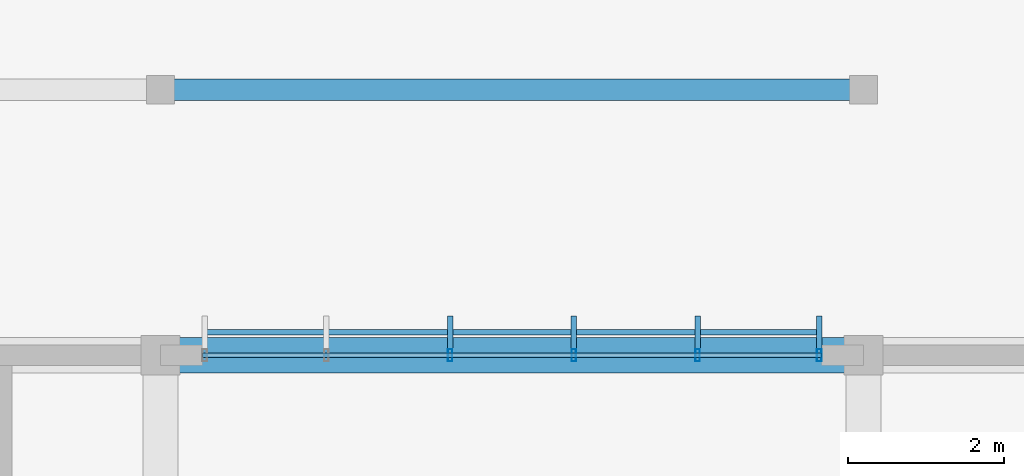
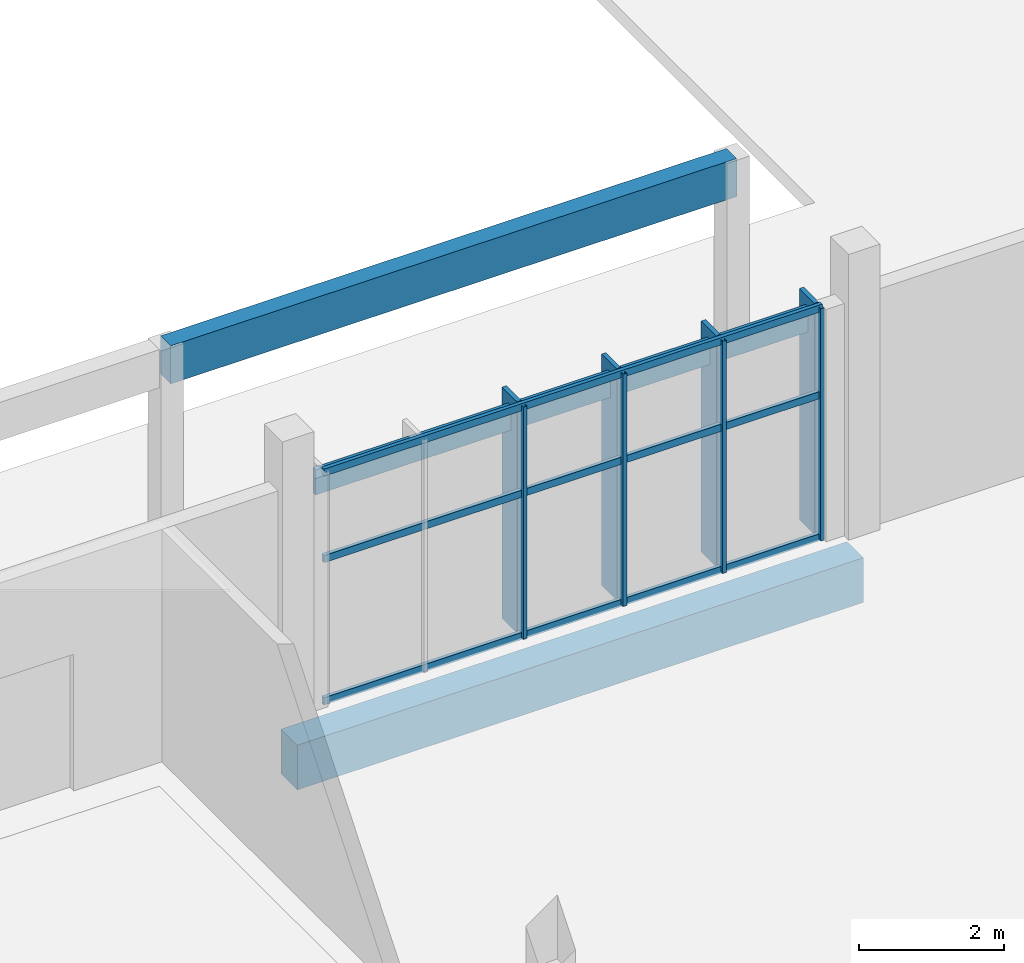
# One storey, part 44 of 151: 12 members, 2 beams, 1 element without a shape of its own.
"""IFC4 building model written with IfcOpenShell, lengths in metres."""

from ifc_helpers import new_model, si_unit, direction, frame, origin, origin_2d, place, context, subcontext, project, spatial, rectangle, hollow_rectangle, extrude, material, material_profile, profile_set, type_object, element, aggregate, save


model = new_model("IFC4")

# Units and contexts
model_context = context("Model", 3, precision=1e-05, world=origin(), true_north=direction((0.0, 1.0)))
body_context = subcontext(model_context, "Body", "Model", "MODEL_VIEW")
ifc_project = project(units=[si_unit("LENGTHUNIT", "METRE"), si_unit("AREAUNIT", "SQUARE_METRE"), si_unit("VOLUMEUNIT", "CUBIC_METRE"), si_unit("PLANEANGLEUNIT", "RADIAN"), si_unit("MASSUNIT", "GRAM", prefix="KILO")], contexts=[model_context])

# Site, building, storey
site_placement = place(None, origin())
site = spatial("IfcSite", under=ifc_project, at=site_placement, CompositionType="ELEMENT")
building_placement = place(site_placement, origin())
building = spatial("IfcBuilding", under=site, at=building_placement, Name="Chiffa Square Polytechnic", CompositionType="ELEMENT")
storey_placement = place(building_placement, origin())
storey = spatial("IfcBuildingStorey", under=building, at=storey_placement, Name="L00", CompositionType="ELEMENT", Elevation=0.0)

# Curtain wall, members
ifc_material_1 = material(Name="Aluminium EN AW-6060 T66 and glulam shading", Category="wood")
curtain_wall_type = type_object("IfcCurtainWallType", Name="CW-VERT-600X380", PredefinedType="USERDEFINED", material=ifc_material_1)
curtain_wall_placement = place(storey_placement, origin())
curtain_wall = element("IfcCurtainWall", 1, at=curtain_wall_placement, inside=storey, type_object=curtain_wall_type, Name="Curtain wall CW-V4-L00-180", ObjectType="CURTAIN WALL", PredefinedType="USERDEFINED")
ifc_material_2 = material(Name="Aluminium EN AW-6060 T66", Category="aluminium")
ifc_material_profile_1 = material_profile(ifc_material_2, hollow_rectangle(XDim=0.06005859375, YDim=0.159912109375, WallThickness=0.00390625, at=origin_2d()), Name="ALU 60x160x4")
ifc_profile_set_1 = profile_set([ifc_material_profile_1], Name="Aluminium EN AW-6060 T66")
member_type_1 = type_object("IfcMemberType", Name="CWM-ALU-65X150", PredefinedType="MULLION", material=ifc_profile_set_1)
member_1_placement = place(storey_placement, frame((102.034912109375, 51.0, 0.0), z_axis=(0.0, 0.0, 1.0), x_axis=(1.0, 0.0, 0.0)))
member_1 = element("IfcMember", 2, at=member_1_placement, type_object=member_type_1, Name="Curtain wall mullion CW-V4-L00-180-M00", PredefinedType="MULLION", context=body_context, shape_type="SweptSolid", body=[
    extrude(hollow_rectangle(XDim=0.06005859375, YDim=0.159912109375, WallThickness=0.00390625, at=origin_2d()), origin(), (0.0, 0.0, 1.0), 3.905029296875),
])
member_2_placement = place(storey_placement, frame((100.47607421875, 51.0, 0.0), z_axis=(0.0, 0.0, 1.0), x_axis=(1.0, 0.0, 0.0)))
member_2 = element("IfcMember", 3, at=member_2_placement, type_object=member_type_1, Name="Curtain wall mullion CW-V4-L00-180-M01", PredefinedType="MULLION", context=body_context, shape_type="SweptSolid", body=[
    extrude(hollow_rectangle(XDim=0.06005859375, YDim=0.159912109375, WallThickness=0.00390625, at=origin_2d()), origin(), (0.0, 0.0, 1.0), 3.905029296875),
])
member_3_placement = place(storey_placement, frame((98.89208984375, 51.0, 0.0), z_axis=(0.0, 0.0, 1.0), x_axis=(1.0, 0.0, 0.0)))
member_3 = element("IfcMember", 4, at=member_3_placement, type_object=member_type_1, Name="Curtain wall mullion CW-V4-L00-180-M02", PredefinedType="MULLION", context=body_context, shape_type="SweptSolid", body=[
    extrude(hollow_rectangle(XDim=0.06005859375, YDim=0.159912109375, WallThickness=0.00390625, at=origin_2d()), origin(), (0.0, 0.0, 1.0), 3.905029296875),
])
member_4_placement = place(storey_placement, frame((97.30810546875, 51.0, 0.0), z_axis=(0.0, 0.0, 1.0), x_axis=(1.0, 0.0, 0.0)))
member_4 = element("IfcMember", 5, at=member_4_placement, type_object=member_type_1, Name="Curtain wall mullion CW-V4-L00-180-M03", PredefinedType="MULLION", context=body_context, shape_type="SweptSolid", body=[
    extrude(hollow_rectangle(XDim=0.06005859375, YDim=0.159912109375, WallThickness=0.00390625, at=origin_2d()), origin(), (0.0, 0.0, 1.0), 3.905029296875),
])
ifc_material_3 = material(Name="Glulam GL28h", Category="wood")
ifc_material_profile_2 = material_profile(ifc_material_3, rectangle(XDim=0.070068359375, YDim=0.419921875, at=origin_2d()), Name="GL28h 70x420")
ifc_profile_set_2 = profile_set([ifc_material_profile_2], Name="Glulam GL28h")
member_type_2 = type_object("IfcMemberType", Name="CWM-GL-70X420", PredefinedType="MULLION", material=ifc_profile_set_2)
member_5_placement = place(storey_placement, frame((102.034912109375, 51.2919921875, 0.010009765625), z_axis=(0.0, 0.0, 1.0), x_axis=(-1.0, 0.0, 0.0)))
member_5 = element("IfcMember", 6, at=member_5_placement, type_object=member_type_2, Name="Exterior glulam solar fin CW-V4-L00-180-FN00", PredefinedType="MULLION", context=body_context, shape_type="SweptSolid", body=[
    extrude(rectangle(XDim=0.070068359375, YDim=0.419921875, at=origin_2d()), origin(), (0.0, 0.0, 1.0), 3.885009765625),
])
member_6_placement = place(storey_placement, frame((100.47607421875, 51.2919921875, 0.010009765625), z_axis=(0.0, 0.0, 1.0), x_axis=(-1.0, 0.0, 0.0)))
member_6 = element("IfcMember", 7, at=member_6_placement, type_object=member_type_2, Name="Exterior glulam solar fin CW-V4-L00-180-FN01", PredefinedType="MULLION", context=body_context, shape_type="SweptSolid", body=[
    extrude(rectangle(XDim=0.070068359375, YDim=0.419921875, at=origin_2d()), origin(), (0.0, 0.0, 1.0), 3.885009765625),
])
member_7_placement = place(storey_placement, frame((98.89208984375, 51.2919921875, 0.010009765625), z_axis=(0.0, 0.0, 1.0), x_axis=(-1.0, 0.0, 0.0)))
member_7 = element("IfcMember", 8, at=member_7_placement, type_object=member_type_2, Name="Exterior glulam solar fin CW-V4-L00-180-FN02", PredefinedType="MULLION", context=body_context, shape_type="SweptSolid", body=[
    extrude(rectangle(XDim=0.070068359375, YDim=0.419921875, at=origin_2d()), origin(), (0.0, 0.0, 1.0), 3.885009765625),
])
member_8_placement = place(storey_placement, frame((97.30810546875, 51.2919921875, 0.010009765625), z_axis=(0.0, 0.0, 1.0), x_axis=(-1.0, 0.0, 0.0)))
member_8 = element("IfcMember", 9, at=member_8_placement, type_object=member_type_2, Name="Exterior glulam solar fin CW-V4-L00-180-FN03", PredefinedType="MULLION", context=body_context, shape_type="SweptSolid", body=[
    extrude(rectangle(XDim=0.070068359375, YDim=0.419921875, at=origin_2d()), origin(), (0.0, 0.0, 1.0), 3.885009765625),
])
ifc_material_profile_3 = material_profile(ifc_material_2, hollow_rectangle(XDim=0.06005859375, YDim=0.1201171875, WallThickness=0.00390625, at=origin_2d()), Name="ALU 60x120x4")
ifc_profile_set_3 = profile_set([ifc_material_profile_3], Name="Aluminium EN AW-6060 T66")
member_type_3 = type_object("IfcMemberType", Name="CWT-ALU-65X120", PredefinedType="USERDEFINED", material=ifc_profile_set_3)
member_9_placement = place(storey_placement, frame((102.06201171875, 51.0, 0.030029296875), z_axis=(-1.0, 0.0, 0.0), x_axis=(0.0, -1.0, 0.0)))
member_9 = element("IfcMember", 10, at=member_9_placement, type_object=member_type_3, Name="Curtain wall transom CW-V4-L00-180-T01", ObjectType="TRANSOM", PredefinedType="USERDEFINED", context=body_context, shape_type="SweptSolid", body=[
    extrude(hollow_rectangle(XDim=0.06005859375, YDim=0.1201171875, WallThickness=0.00390625, at=origin_2d()), origin(), (0.0, 0.0, 1.0), 7.924072265625),
])
member_10_placement = place(storey_placement, frame((102.06201171875, 51.0, 2.4208984375), z_axis=(-1.0, 0.0, 0.0), x_axis=(0.0, -1.0, 0.0)))
member_10 = element("IfcMember", 11, at=member_10_placement, type_object=member_type_3, Name="Curtain wall transom CW-V4-L00-180-T02", ObjectType="TRANSOM", PredefinedType="USERDEFINED", context=body_context, shape_type="SweptSolid", body=[
    extrude(hollow_rectangle(XDim=0.06005859375, YDim=0.1201171875, WallThickness=0.00390625, at=origin_2d()), origin(), (0.0, 0.0, 1.0), 7.924072265625),
])
member_11_placement = place(storey_placement, frame((102.06201171875, 51.0, 3.875), z_axis=(-1.0, 0.0, 0.0), x_axis=(0.0, -1.0, 0.0)))
member_11 = element("IfcMember", 12, at=member_11_placement, type_object=member_type_3, Name="Curtain wall transom CW-V4-L00-180-T03", ObjectType="TRANSOM", PredefinedType="USERDEFINED", context=body_context, shape_type="SweptSolid", body=[
    extrude(hollow_rectangle(XDim=0.06005859375, YDim=0.1201171875, WallThickness=0.00390625, at=origin_2d()), origin(), (0.0, 0.0, 1.0), 7.924072265625),
])
ifc_material_profile_4 = material_profile(ifc_material_3, rectangle(XDim=0.070068359375, YDim=0.419921875, at=origin_2d()), Name="GL28h 70x420")
ifc_profile_set_4 = profile_set([ifc_material_profile_4], Name="Glulam GL28h")
member_type_4 = type_object("IfcMemberType", Name="CWT-GL-70X420", PredefinedType="USERDEFINED", material=ifc_profile_set_4)
member_12_placement = place(storey_placement, frame((102.034912109375, 51.2919921875, 3.52490234375), z_axis=(-1.0, 0.0, 0.0), x_axis=(0.0, -1.0, 0.0)))
member_12 = element("IfcMember", 13, at=member_12_placement, type_object=member_type_4, Name="Exterior glulam brise-soleil CW-V4-L00-180-BS01", ObjectType="TRANSOM", PredefinedType="USERDEFINED", context=body_context, shape_type="SweptSolid", body=[
    extrude(rectangle(XDim=0.070068359375, YDim=0.419921875, at=origin_2d()), origin(), (0.0, 0.0, 1.0), 7.869873046875),
])
aggregate(curtain_wall, [member_1, member_5, member_2, member_6, member_3, member_7, member_4, member_8, member_9, member_10, member_11, member_12])

# Beams
ifc_material_4 = material(Name="Concrete C35/45", Category="concrete")
ifc_material_profile_5 = material_profile(ifc_material_4, rectangle(XDim=0.449951171875, YDim=0.75, at=origin_2d()), Name="RC 450x750")
ifc_profile_set_5 = profile_set([ifc_material_profile_5], Name="Concrete C35/45")
beam_type_1 = type_object("IfcBeamType", Name="GB-RC-450X750", PredefinedType="BEAM", material=ifc_profile_set_5)
beam_1_placement = place(storey_placement, frame((93.60009765625, 51.0, -0.77490234375), z_axis=(1.0, 0.0, 0.0), x_axis=(0.0, 1.0, 0.0)))
element("IfcBeam", 14, at=beam_1_placement, inside=storey, type_object=beam_type_1, Name="Ground tie beam GB-V4-X-119", PredefinedType="BEAM", context=body_context, shape_type="SweptSolid", body=[
    extrude(rectangle(XDim=0.449951171875, YDim=0.75, at=origin_2d()), origin(), (0.0, 0.0, 1.0), 9.0),
])
ifc_material_profile_6 = material_profile(ifc_material_3, rectangle(XDim=0.280029296875, YDim=0.639892578125, at=origin_2d()), Name="GL28h 280x640")
ifc_profile_set_6 = profile_set([ifc_material_profile_6], Name="Glulam GL28h")
beam_type_2 = type_object("IfcBeamType", Name="RB-GL-280X640", PredefinedType="SPANDREL", material=ifc_profile_set_6)
beam_2_placement = place(storey_placement, frame((93.60009765625, 54.39990234375, 3.8798828125), z_axis=(1.0, 0.0, 0.0), x_axis=(0.0, 1.0, 0.0)))
element("IfcBeam", 15, at=beam_2_placement, inside=storey, type_object=beam_type_2, Name="Courtyard pergola beam RB-CY-L00-05", PredefinedType="SPANDREL", context=body_context, shape_type="SweptSolid", body=[
    extrude(rectangle(XDim=0.280029296875, YDim=0.639892578125, at=origin_2d()), origin(), (0.0, 0.0, 1.0), 9.0),
])

save(model, "model.ifc")
